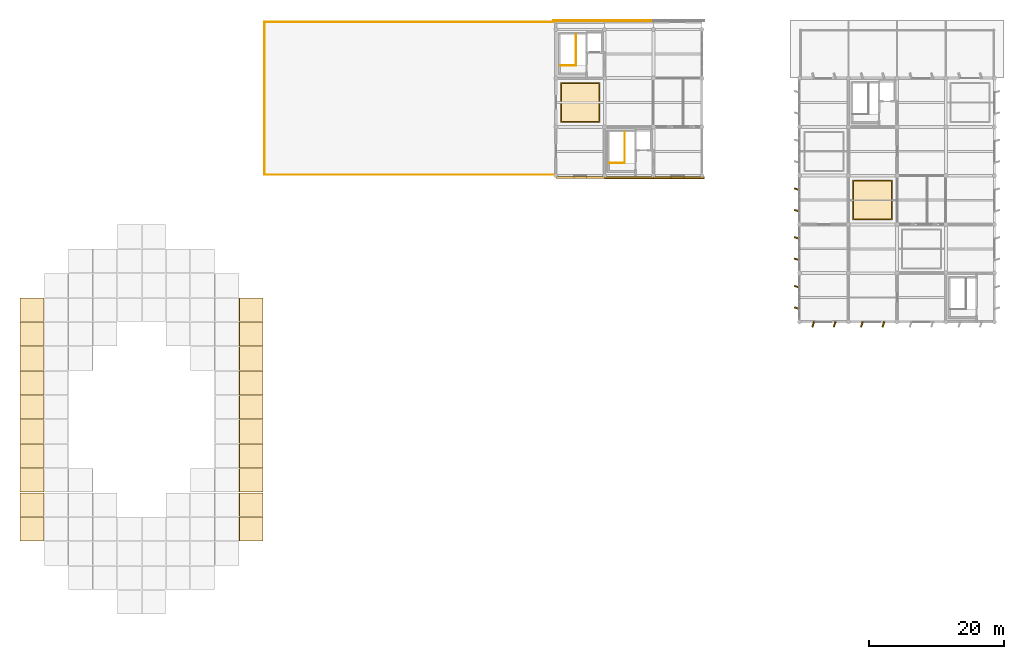
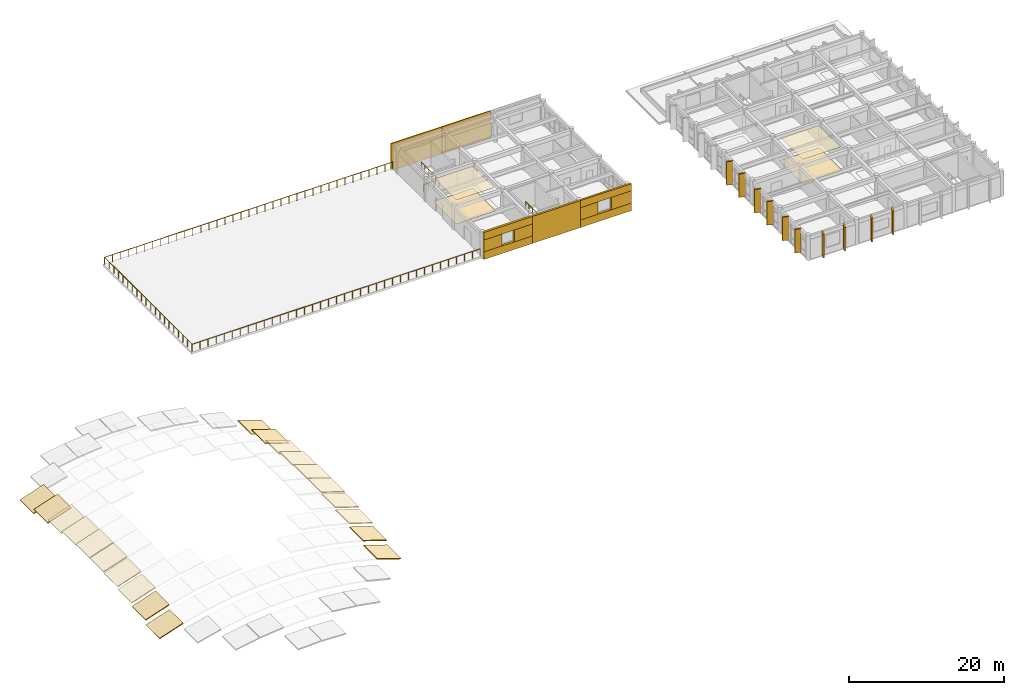
# One storey, part 15 of 16: 45 coverings, 3 railings.
"""IFC4 building model written with IfcOpenShell, lengths in metres."""

from ifc_helpers import new_model, si_unit, direction, frame, origin, origin_2d, place, context, subcontext, project, spatial, polyline, rectangle, circle, outline, extrude, material, layer, layer_set, type_object, element, save


model = new_model("IFC4")

# Units and contexts
model_context = context("Model", 3, precision=1e-05, world=origin(), true_north=direction((0.0, 1.0)))
body_context = subcontext(model_context, "Body", "Model", "MODEL_VIEW")
ifc_project = project(units=[si_unit("LENGTHUNIT", "METRE"), si_unit("AREAUNIT", "SQUARE_METRE"), si_unit("VOLUMEUNIT", "CUBIC_METRE"), si_unit("PLANEANGLEUNIT", "RADIAN"), si_unit("MASSUNIT", "GRAM", prefix="KILO")], contexts=[model_context])

# Site, building, storey
site_placement = place(None, origin())
site = spatial("IfcSite", under=ifc_project, at=site_placement, CompositionType="ELEMENT")
building_placement = place(site_placement, origin())
building = spatial("IfcBuilding", under=site, at=building_placement, Name="Kavelor Marine Aquarium", CompositionType="ELEMENT")
storey_placement = place(building_placement, frame((0.0, 0.0, 21.60009765625)))
storey = spatial("IfcBuildingStorey", under=building, at=storey_placement, Name="L05", CompositionType="ELEMENT", Elevation=21.60009765625)

# Coverings
ifc_material_1 = material(Name="Moisture-Resistant Acoustic Mineral-Fibre Ceiling")
ifc_layer_1 = layer(ifc_material_1, 0.0400390625)
ifc_layer_set_1 = layer_set([ifc_layer_1], Name="COV-CE1")
covering_type_1 = type_object("IfcCoveringType", Name="COV-CE1", PredefinedType="CEILING", material=ifc_layer_set_1)
covering_1_placement = place(storey_placement, frame((0.0, 0.0, 3.639892578125)))
element("IfcCovering", 1, at=covering_1_placement, inside=storey, type_object=covering_type_1, Name="ceil:L05:11_13", PredefinedType="CEILING", context=body_context, shape_type="SweptSolid", body=[
    extrude(outline(polyline([(83.199951171875, 97.199951171875), (88.800048828125, 97.199951171875), (88.800048828125, 102.800048828125), (83.199951171875, 102.800048828125), (83.199951171875, 97.199951171875)])), origin(), (0.0, 0.0, 1.0), 0.0400390625),
])
covering_2_placement = place(storey_placement, frame((0.0, 0.0, 3.639892578125)))
element("IfcCovering", 2, at=covering_2_placement, inside=storey, type_object=covering_type_1, Name="ceil:L05:17_11", PredefinedType="CEILING", context=body_context, shape_type="SweptSolid", body=[
    extrude(outline(polyline([(126.39990234375, 82.800048828125), (132.0, 82.800048828125), (132.0, 88.39990234375), (126.39990234375, 88.39990234375), (126.39990234375, 82.800048828125)])), origin(), (0.0, 0.0, 1.0), 0.0400390625),
])
ifc_material_2 = material(Name="Precast Concrete C45/55 Coastal Brise-Soleil Fin", Category="concrete")
ifc_layer_2 = layer(ifc_material_2, 0.219970703125)
ifc_layer_set_2 = layer_set([ifc_layer_2], Name="COV-CL1")
covering_type_2 = type_object("IfcCoveringType", Name="COV-CL1", PredefinedType="CLADDING", material=ifc_layer_set_2)
for number, where, z_axis, x_axis, name in (
    (3, (118.0400390625, 69.615966796875, 0.0), (0.0, 0.0, 1.0), (0.951056516295, -0.309016994375, 0.0), "fin:y:L05:16_09:0"),
    (4, (118.0400390625, 72.783935546875, 0.0), (0.0, 0.0, 1.0), (0.951056516295, -0.309016994375, 0.0), "fin:y:L05:16_09:1"),
    (5, (118.0400390625, 76.81591796875, 0.0), (0.0, 0.0, 1.0), (0.951056516295, -0.309016994375, 0.0), "fin:y:L05:16_10:0"),
    (6, (118.0400390625, 79.98388671875, 0.0), (0.0, 0.0, 1.0), (0.951056516295, -0.309016994375, 0.0), "fin:y:L05:16_10:1"),
    (7, (118.0400390625, 84.01611328125, 0.0), (0.0, 0.0, 1.0), (0.951056516295, -0.309016994375, 0.0), "fin:y:L05:16_11:0"),
    (8, (118.0400390625, 87.18408203125, 0.0), (0.0, 0.0, 1.0), (0.951056516295, -0.309016994375, 0.0), "fin:y:L05:16_11:1"),
):
    element("IfcCovering", number, at=place(storey_placement, frame(where, z_axis=z_axis, x_axis=x_axis)), inside=storey, type_object=covering_type_2, Name=name, PredefinedType="CLADDING", context=body_context, shape_type="SweptSolid", body=[
        extrude(rectangle(XDim=0.85009765625, YDim=0.219970703125, at=origin_2d()), origin(), (0.0, 0.0, 1.0), 3.699951171875),
    ])
for number, where, z_axis, x_axis, name in (
    (9, (120.416015625, 67.239990234375, 0.0), (0.0, 0.0, 1.0), (0.951056516295, -0.309016994375, 0.0), "fin:x:L05:16_09:0"),
    (10, (123.583984375, 67.239990234375, 0.0), (0.0, 0.0, 1.0), (0.951056516295, -0.309016994375, 0.0), "fin:x:L05:16_09:1"),
    (11, (127.615966796875, 67.239990234375, 0.0), (0.0, 0.0, 1.0), (0.951056516295, -0.309016994375, 0.0), "fin:x:L05:17_09:0"),
    (12, (130.783935546875, 67.239990234375, 0.0), (0.0, 0.0, 1.0), (0.951056516295, -0.309016994375, 0.0), "fin:x:L05:17_09:1"),
):
    element("IfcCovering", number, at=place(storey_placement, frame(where, z_axis=z_axis, x_axis=x_axis)), inside=storey, type_object=covering_type_2, Name=name, PredefinedType="CLADDING", context=body_context, shape_type="SweptSolid", body=[
        extrude(rectangle(XDim=0.219970703125, YDim=0.85009765625, at=origin_2d()), origin(), (0.0, 0.0, 1.0), 3.699951171875),
    ])
ifc_material_3 = material(Name="Polished Coastal Terrazzo Flooring")
ifc_layer_3 = layer(ifc_material_3, 0.030029296875)
ifc_layer_set_3 = layer_set([ifc_layer_3], Name="COV-FL1")
covering_type_3 = type_object("IfcCoveringType", Name="COV-FL1", PredefinedType="FLOORING", material=ifc_layer_set_3)
covering_3_placement = place(storey_placement, origin())
element("IfcCovering", 13, at=covering_3_placement, inside=storey, type_object=covering_type_3, Name="flr:L05:11_13", PredefinedType="FLOORING", context=body_context, shape_type="SweptSolid", body=[
    extrude(outline(polyline([(83.050048828125, 97.050048828125), (88.949951171875, 97.050048828125), (88.949951171875, 102.949951171875), (83.050048828125, 102.949951171875), (83.050048828125, 97.050048828125)])), origin(), (0.0, 0.0, 1.0), 0.02978515625),
])
covering_4_placement = place(storey_placement, origin())
element("IfcCovering", 14, at=covering_4_placement, inside=storey, type_object=covering_type_3, Name="flr:L05:17_11", PredefinedType="FLOORING", context=body_context, shape_type="SweptSolid", body=[
    extrude(outline(polyline([(126.25, 82.64990234375), (132.14990234375, 82.64990234375), (132.14990234375, 88.550048828125), (126.25, 88.550048828125), (126.25, 82.64990234375)])), origin(), (0.0, 0.0, 1.0), 0.02978515625),
])
ifc_material_4 = material(Name="Standing-Seam Marine Aluminium Acoustic Roof Deck", Category="aluminium")
ifc_layer_4 = layer(ifc_material_4, 0.080078125)
ifc_layer_set_4 = layer_set([ifc_layer_4], Name="COV-RF2")
covering_type_4 = type_object("IfcCoveringType", Name="COV-RF2", PredefinedType="ROOFING", material=ifc_layer_set_4)
for number, where, z_axis, x_axis, name in (
    (15, (3.239990234375, 35.239990234375, 0.31591796875), (-0.318120869141, 0.0, 0.948050163555), (0.948050163555, 0.0, 0.318120869141), "gs:haunch:cov:00_03"),
    (16, (3.239990234375, 38.840087890625, 1.04541015625), (-0.318120869141, 0.0, 0.948050163555), (0.948050163555, 0.0, 0.318120869141), "gs:haunch:cov:00_04"),
    (17, (3.239990234375, 42.43994140625, 1.552978515625), (-0.318120869141, 0.0, 0.948050163555), (0.948050163555, 0.0, 0.318120869141), "gs:haunch:cov:00_05"),
    (18, (3.239990234375, 46.0400390625, 1.922607421875), (-0.318120869141, 0.0, 0.948050163555), (0.948050163555, 0.0, 0.318120869141), "gs:haunch:cov:00_06"),
    (19, (3.239990234375, 49.639892578125, 2.07666015625), (-0.318120869141, 0.0, 0.948050163555), (0.948050163555, 0.0, 0.318120869141), "gs:haunch:cov:00_07"),
    (20, (3.239990234375, 53.239990234375, 2.0966796875), (-0.318120869141, 0.0, 0.948050163555), (0.948050163555, 0.0, 0.318120869141), "gs:haunch:cov:00_08"),
    (21, (3.239990234375, 56.840087890625, 1.902587890625), (-0.318120869141, 0.0, 0.948050163555), (0.948050163555, 0.0, 0.318120869141), "gs:haunch:cov:00_09"),
    (22, (3.239990234375, 60.43994140625, 1.572998046875), (-0.318120869141, 0.0, 0.948050163555), (0.948050163555, 0.0, 0.318120869141), "gs:haunch:cov:00_10"),
    (23, (3.239990234375, 64.0400390625, 1.025390625), (-0.318120869141, 0.0, 0.948050163555), (0.948050163555, 0.0, 0.318120869141), "gs:haunch:cov:00_11"),
    (24, (3.239990234375, 67.639892578125, 0.3359375), (-0.318120869141, 0.0, 0.948050163555), (0.948050163555, 0.0, 0.318120869141), "gs:haunch:cov:00_12"),
    (25, (35.639892578125, 35.239990234375, 1.51708984375), (0.318120869141, 0.0, 0.948050163555), (0.948050163555, 0.0, -0.318120869141), "gs:haunch:cov:09_03"),
    (26, (35.639892578125, 38.840087890625, 2.20654296875), (0.318120869141, 0.0, 0.948050163555), (0.948050163555, 0.0, -0.318120869141), "gs:haunch:cov:09_04"),
    (27, (35.639892578125, 42.43994140625, 2.754150390625), (0.318120869141, 0.0, 0.948050163555), (0.948050163555, 0.0, -0.318120869141), "gs:haunch:cov:09_05"),
    (28, (35.639892578125, 46.0400390625, 3.083740234375), (0.318120869141, 0.0, 0.948050163555), (0.948050163555, 0.0, -0.318120869141), "gs:haunch:cov:09_06"),
    (29, (35.639892578125, 49.639892578125, 3.27783203125), (0.318120869141, 0.0, 0.948050163555), (0.948050163555, 0.0, -0.318120869141), "gs:haunch:cov:09_07"),
    (30, (35.639892578125, 53.239990234375, 3.2578125), (0.318120869141, 0.0, 0.948050163555), (0.948050163555, 0.0, -0.318120869141), "gs:haunch:cov:09_08"),
    (31, (35.639892578125, 56.840087890625, 3.103759765625), (0.318120869141, 0.0, 0.948050163555), (0.948050163555, 0.0, -0.318120869141), "gs:haunch:cov:09_09"),
    (32, (35.639892578125, 60.43994140625, 2.734130859375), (0.318120869141, 0.0, 0.948050163555), (0.948050163555, 0.0, -0.318120869141), "gs:haunch:cov:09_10"),
    (33, (35.639892578125, 64.0400390625, 2.2265625), (0.318120869141, 0.0, 0.948050163555), (0.948050163555, 0.0, -0.318120869141), "gs:haunch:cov:09_11"),
    (34, (35.639892578125, 67.639892578125, 1.4970703125), (0.318120869141, 0.0, 0.948050163555), (0.948050163555, 0.0, -0.318120869141), "gs:haunch:cov:09_12"),
):
    element("IfcCovering", number, at=place(storey_placement, frame(where, z_axis=z_axis, x_axis=x_axis)), inside=storey, type_object=covering_type_4, Name=name, PredefinedType="ROOFING", context=body_context, shape_type="SweptSolid", body=[
        extrude(outline(polyline([(0.0, 0.0), (3.7129043025006165, 0.0), (3.7129043025006165, 3.520019531250001), (0.0, 3.520019531250001), (0.0, 0.0)])), origin(), (0.0, 0.0, -1.0), 0.139892578125),
    ])
ifc_material_5 = material(Name="Smooth White Marine Aluminium Composite Cladding", Category="aluminium")
ifc_layer_5 = layer(ifc_material_5, 0.10009765625)
ifc_layer_set_5 = layer_set([ifc_layer_5], Name="COV-WM1")
covering_type_5 = type_object("IfcCoveringType", Name="COV-WM1", PredefinedType="CLADDING", material=ifc_layer_set_5)
covering_5_placement = place(storey_placement, frame((0.0, 0.0, -0.280029296875)))
element("IfcCovering", 35, at=covering_5_placement, inside=storey, type_object=covering_type_5, Name="wmc:x:L05:11_12:sill", PredefinedType="CLADDING", context=body_context, shape_type="SweptSolid", body=[
    extrude(outline(polyline([(82.39990234375, 88.760009765625), (89.60009765625, 88.760009765625), (89.60009765625, 89.080078125), (82.39990234375, 89.080078125), (82.39990234375, 88.760009765625)])), origin(), (0.0, 0.0, 1.0), 1.18994140625),
])
covering_6_placement = place(storey_placement, frame((0.0, 0.0, 2.789794921875)))
element("IfcCovering", 36, at=covering_6_placement, inside=storey, type_object=covering_type_5, Name="wmc:x:L05:11_12:head", PredefinedType="CLADDING", context=body_context, shape_type="SweptSolid", body=[
    extrude(outline(polyline([(82.39990234375, 88.760009765625), (89.60009765625, 88.760009765625), (89.60009765625, 89.080078125), (82.39990234375, 89.080078125), (82.39990234375, 88.760009765625)])), origin(), (0.0, 0.0, 1.0), 1.170166015625),
])
covering_7_placement = place(storey_placement, frame((0.0, 0.0, 0.909912109375)))
element("IfcCovering", 37, at=covering_7_placement, inside=storey, type_object=covering_type_5, Name="wmc:x:L05:11_12:left", PredefinedType="CLADDING", context=body_context, shape_type="SweptSolid", body=[
    extrude(outline(polyline([(82.39990234375, 88.760009765625), (85.06005859375, 88.760009765625), (85.06005859375, 89.080078125), (82.39990234375, 89.080078125), (82.39990234375, 88.760009765625)])), origin(), (0.0, 0.0, 1.0), 1.8798828125),
])
covering_8_placement = place(storey_placement, frame((0.0, 0.0, 0.909912109375)))
element("IfcCovering", 38, at=covering_8_placement, inside=storey, type_object=covering_type_5, Name="wmc:x:L05:11_12:right", PredefinedType="CLADDING", context=body_context, shape_type="SweptSolid", body=[
    extrude(outline(polyline([(86.93994140625, 88.760009765625), (89.60009765625, 88.760009765625), (89.60009765625, 89.080078125), (86.93994140625, 89.080078125), (86.93994140625, 88.760009765625)])), origin(), (0.0, 0.0, 1.0), 1.8798828125),
])
covering_9_placement = place(storey_placement, frame((0.0, 0.0, -0.280029296875)))
element("IfcCovering", 39, at=covering_9_placement, inside=storey, type_object=covering_type_5, Name="wmc:x:L05:11_15:full", PredefinedType="CLADDING", context=body_context, shape_type="SweptSolid", body=[
    extrude(outline(polyline([(82.050048828125, 112.030029296875), (89.60009765625, 112.030029296875), (89.60009765625, 112.14990234375), (82.050048828125, 112.14990234375), (82.050048828125, 112.030029296875)])), origin(), (0.0, 0.0, 1.0), 4.239990234375),
])
covering_10_placement = place(storey_placement, frame((0.0, 0.0, -0.280029296875)))
element("IfcCovering", 40, at=covering_10_placement, inside=storey, type_object=covering_type_5, Name="wmc:x:L05:12_12:full", PredefinedType="CLADDING", context=body_context, shape_type="SweptSolid", body=[
    extrude(outline(polyline([(89.60009765625, 88.760009765625), (96.800048828125, 88.760009765625), (96.800048828125, 89.0400390625), (89.60009765625, 89.0400390625), (89.60009765625, 88.760009765625)])), origin(), (0.0, 0.0, 1.0), 4.239990234375),
])
covering_11_placement = place(storey_placement, frame((0.0, 0.0, -0.280029296875)))
element("IfcCovering", 41, at=covering_11_placement, inside=storey, type_object=covering_type_5, Name="wmc:x:L05:12_15:full", PredefinedType="CLADDING", context=body_context, shape_type="SweptSolid", body=[
    extrude(outline(polyline([(89.60009765625, 112.02001953125), (96.800048828125, 112.02001953125), (96.800048828125, 112.139892578125), (89.60009765625, 112.139892578125), (89.60009765625, 112.02001953125)])), origin(), (0.0, 0.0, 1.0), 4.239990234375),
])
covering_12_placement = place(storey_placement, frame((0.0, 0.0, -0.280029296875)))
element("IfcCovering", 42, at=covering_12_placement, inside=storey, type_object=covering_type_5, Name="wmc:x:L05:13_12:sill", PredefinedType="CLADDING", context=body_context, shape_type="SweptSolid", body=[
    extrude(outline(polyline([(96.800048828125, 88.760009765625), (104.35009765625, 88.760009765625), (104.35009765625, 89.030029296875), (96.800048828125, 89.030029296875), (96.800048828125, 88.760009765625)])), origin(), (0.0, 0.0, 1.0), 1.18994140625),
])
covering_13_placement = place(storey_placement, frame((0.0, 0.0, 2.83984375)))
element("IfcCovering", 43, at=covering_13_placement, inside=storey, type_object=covering_type_5, Name="wmc:x:L05:13_12:head", PredefinedType="CLADDING", context=body_context, shape_type="SweptSolid", body=[
    extrude(outline(polyline([(96.800048828125, 88.760009765625), (104.35009765625, 88.760009765625), (104.35009765625, 89.030029296875), (96.800048828125, 89.030029296875), (96.800048828125, 88.760009765625)])), origin(), (0.0, 0.0, 1.0), 1.1201171875),
])
covering_14_placement = place(storey_placement, frame((0.0, 0.0, 0.909912109375)))
element("IfcCovering", 44, at=covering_14_placement, inside=storey, type_object=covering_type_5, Name="wmc:x:L05:13_12:left", PredefinedType="CLADDING", context=body_context, shape_type="SweptSolid", body=[
    extrude(outline(polyline([(96.800048828125, 88.760009765625), (99.409912109375, 88.760009765625), (99.409912109375, 89.030029296875), (96.800048828125, 89.030029296875), (96.800048828125, 88.760009765625)])), origin(), (0.0, 0.0, 1.0), 1.929931640625),
])
covering_15_placement = place(storey_placement, frame((0.0, 0.0, 0.909912109375)))
element("IfcCovering", 45, at=covering_15_placement, inside=storey, type_object=covering_type_5, Name="wmc:x:L05:13_12:right", PredefinedType="CLADDING", context=body_context, shape_type="SweptSolid", body=[
    extrude(outline(polyline([(101.389892578125, 88.760009765625), (104.35009765625, 88.760009765625), (104.35009765625, 89.030029296875), (101.389892578125, 89.030029296875), (101.389892578125, 88.760009765625)])), origin(), (0.0, 0.0, 1.0), 1.929931640625),
])

# Railings
ifc_material_6 = material(Name="Marine Duplex Stainless Steel Terrace Guardrail", Category="steel")
railing_type_1 = type_object("IfcRailingType", Name="RL-GD2", PredefinedType="GUARDRAIL", material=ifc_material_6)
railing_1_placement = place(storey_placement, frame((82.25, 89.35009765625, 0.0)))
element("IfcRailing", 46, at=railing_1_placement, inside=storey, type_object=railing_type_1, Name="Rooftop Terrace Perimeter Guardrail GR2", PredefinedType="GUARDRAIL", context=body_context, shape_type="SweptSolid", body=[
    extrude(circle(Radius=0.02490234375, at=origin_2d()), frame((0.0, 0.0, 1.125), z_axis=(-1.0, 0.0, 0.0), x_axis=(0.0, -1.0, 0.0)), (0.0, 0.0, 1.0), 42.89990234375),
    extrude(circle(Radius=0.02490234375, at=origin_2d()), frame((-42.89990234375, 0.0, 1.125), z_axis=(0.0, 1.0, 0.0), x_axis=(-1.0, 0.0, 0.0)), (0.0, 0.0, 1.0), 22.539794921875),
    extrude(circle(Radius=0.02490234375, at=origin_2d()), frame((-42.89990234375, 22.539794921875, 1.125), z_axis=(1.0, 0.0, 0.0), x_axis=(0.0, 1.0, 0.0)), (0.0, 0.0, 1.0), 42.89990234375),
    extrude(circle(Radius=0.02490234375, at=origin_2d()), origin(), (0.0, 0.0, 1.0), 1.099853515625),
    extrude(circle(Radius=0.02490234375, at=origin_2d()), frame((-1.191650390625, 0.0, 0.0)), (0.0, 0.0, 1.0), 1.099853515625),
    extrude(circle(Radius=0.02490234375, at=origin_2d()), frame((-2.38330078125, 0.0, 0.0)), (0.0, 0.0, 1.0), 1.099853515625),
    extrude(circle(Radius=0.02490234375, at=origin_2d()), frame((-3.574951171875, 0.0, 0.0)), (0.0, 0.0, 1.0), 1.099853515625),
    extrude(circle(Radius=0.02490234375, at=origin_2d()), frame((-4.7666015625, 0.0, 0.0)), (0.0, 0.0, 1.0), 1.099853515625),
    extrude(circle(Radius=0.02490234375, at=origin_2d()), frame((-5.958251953125, 0.0, 0.0)), (0.0, 0.0, 1.0), 1.099853515625),
    extrude(circle(Radius=0.02490234375, at=origin_2d()), frame((-7.14990234375, 0.0, 0.0)), (0.0, 0.0, 1.0), 1.099853515625),
    extrude(circle(Radius=0.02490234375, at=origin_2d()), frame((-8.341552734375, 0.0, 0.0)), (0.0, 0.0, 1.0), 1.099853515625),
    extrude(circle(Radius=0.02490234375, at=origin_2d()), frame((-9.533203125, 0.0, 0.0)), (0.0, 0.0, 1.0), 1.099853515625),
    extrude(circle(Radius=0.02490234375, at=origin_2d()), frame((-10.72509765625, 0.0, 0.0)), (0.0, 0.0, 1.0), 1.099853515625),
    extrude(circle(Radius=0.02490234375, at=origin_2d()), frame((-11.916748046875, 0.0, 0.0)), (0.0, 0.0, 1.0), 1.099853515625),
    extrude(circle(Radius=0.02490234375, at=origin_2d()), frame((-13.1083984375, 0.0, 0.0)), (0.0, 0.0, 1.0), 1.099853515625),
    extrude(circle(Radius=0.02490234375, at=origin_2d()), frame((-14.300048828125, 0.0, 0.0)), (0.0, 0.0, 1.0), 1.099853515625),
    extrude(circle(Radius=0.02490234375, at=origin_2d()), frame((-15.49169921875, 0.0, 0.0)), (0.0, 0.0, 1.0), 1.099853515625),
    extrude(circle(Radius=0.02490234375, at=origin_2d()), frame((-16.683349609375, 0.0, 0.0)), (0.0, 0.0, 1.0), 1.099853515625),
    extrude(circle(Radius=0.02490234375, at=origin_2d()), frame((-17.875, 0.0, 0.0)), (0.0, 0.0, 1.0), 1.099853515625),
    extrude(circle(Radius=0.02490234375, at=origin_2d()), frame((-19.066650390625, 0.0, 0.0)), (0.0, 0.0, 1.0), 1.099853515625),
    extrude(circle(Radius=0.02490234375, at=origin_2d()), frame((-20.25830078125, 0.0, 0.0)), (0.0, 0.0, 1.0), 1.099853515625),
    extrude(circle(Radius=0.02490234375, at=origin_2d()), frame((-21.449951171875, 0.0, 0.0)), (0.0, 0.0, 1.0), 1.099853515625),
    extrude(circle(Radius=0.02490234375, at=origin_2d()), frame((-22.6416015625, 0.0, 0.0)), (0.0, 0.0, 1.0), 1.099853515625),
    extrude(circle(Radius=0.02490234375, at=origin_2d()), frame((-23.833251953125, 0.0, 0.0)), (0.0, 0.0, 1.0), 1.099853515625),
    extrude(circle(Radius=0.02490234375, at=origin_2d()), frame((-25.02490234375, 0.0, 0.0)), (0.0, 0.0, 1.0), 1.099853515625),
    extrude(circle(Radius=0.02490234375, at=origin_2d()), frame((-26.216552734375, 0.0, 0.0)), (0.0, 0.0, 1.0), 1.099853515625),
    extrude(circle(Radius=0.02490234375, at=origin_2d()), frame((-27.408203125, 0.0, 0.0)), (0.0, 0.0, 1.0), 1.099853515625),
    extrude(circle(Radius=0.02490234375, at=origin_2d()), frame((-28.599853515625, 0.0, 0.0)), (0.0, 0.0, 1.0), 1.099853515625),
    extrude(circle(Radius=0.02490234375, at=origin_2d()), frame((-29.79150390625, 0.0, 0.0)), (0.0, 0.0, 1.0), 1.099853515625),
    extrude(circle(Radius=0.02490234375, at=origin_2d()), frame((-30.983154296875, 0.0, 0.0)), (0.0, 0.0, 1.0), 1.099853515625),
    extrude(circle(Radius=0.02490234375, at=origin_2d()), frame((-32.1748046875, 0.0, 0.0)), (0.0, 0.0, 1.0), 1.099853515625),
    extrude(circle(Radius=0.02490234375, at=origin_2d()), frame((-33.36669921875, 0.0, 0.0)), (0.0, 0.0, 1.0), 1.099853515625),
    extrude(circle(Radius=0.02490234375, at=origin_2d()), frame((-34.558349609375, 0.0, 0.0)), (0.0, 0.0, 1.0), 1.099853515625),
    extrude(circle(Radius=0.02490234375, at=origin_2d()), frame((-35.75, 0.0, 0.0)), (0.0, 0.0, 1.0), 1.099853515625),
    extrude(circle(Radius=0.02490234375, at=origin_2d()), frame((-36.941650390625, 0.0, 0.0)), (0.0, 0.0, 1.0), 1.099853515625),
    extrude(circle(Radius=0.02490234375, at=origin_2d()), frame((-38.13330078125, 0.0, 0.0)), (0.0, 0.0, 1.0), 1.099853515625),
    extrude(circle(Radius=0.02490234375, at=origin_2d()), frame((-39.324951171875, 0.0, 0.0)), (0.0, 0.0, 1.0), 1.099853515625),
    extrude(circle(Radius=0.02490234375, at=origin_2d()), frame((-40.5166015625, 0.0, 0.0)), (0.0, 0.0, 1.0), 1.099853515625),
    extrude(circle(Radius=0.02490234375, at=origin_2d()), frame((-41.708251953125, 0.0, 0.0)), (0.0, 0.0, 1.0), 1.099853515625),
    extrude(circle(Radius=0.02490234375, at=origin_2d()), frame((-42.89990234375, 0.0, 0.0)), (0.0, 0.0, 1.0), 1.099853515625),
    extrude(circle(Radius=0.02490234375, at=origin_2d()), frame((-42.89990234375, 1.186279296875, 0.0)), (0.0, 0.0, 1.0), 1.099853515625),
    extrude(circle(Radius=0.02490234375, at=origin_2d()), frame((-42.89990234375, 2.37255859375, 0.0)), (0.0, 0.0, 1.0), 1.099853515625),
    extrude(circle(Radius=0.02490234375, at=origin_2d()), frame((-42.89990234375, 3.558837890625, 0.0)), (0.0, 0.0, 1.0), 1.099853515625),
    extrude(circle(Radius=0.02490234375, at=origin_2d()), frame((-42.89990234375, 4.7451171875, 0.0)), (0.0, 0.0, 1.0), 1.099853515625),
    extrude(circle(Radius=0.02490234375, at=origin_2d()), frame((-42.89990234375, 5.931640625, 0.0)), (0.0, 0.0, 1.0), 1.099853515625),
    extrude(circle(Radius=0.02490234375, at=origin_2d()), frame((-42.89990234375, 7.117919921875, 0.0)), (0.0, 0.0, 1.0), 1.099853515625),
    extrude(circle(Radius=0.02490234375, at=origin_2d()), frame((-42.89990234375, 8.30419921875, 0.0)), (0.0, 0.0, 1.0), 1.099853515625),
    extrude(circle(Radius=0.02490234375, at=origin_2d()), frame((-42.89990234375, 9.490478515625, 0.0)), (0.0, 0.0, 1.0), 1.099853515625),
    extrude(circle(Radius=0.02490234375, at=origin_2d()), frame((-42.89990234375, 10.6767578125, 0.0)), (0.0, 0.0, 1.0), 1.099853515625),
    extrude(circle(Radius=0.02490234375, at=origin_2d()), frame((-42.89990234375, 11.863037109375, 0.0)), (0.0, 0.0, 1.0), 1.099853515625),
    extrude(circle(Radius=0.02490234375, at=origin_2d()), frame((-42.89990234375, 13.04931640625, 0.0)), (0.0, 0.0, 1.0), 1.099853515625),
    extrude(circle(Radius=0.02490234375, at=origin_2d()), frame((-42.89990234375, 14.235595703125, 0.0)), (0.0, 0.0, 1.0), 1.099853515625),
    extrude(circle(Radius=0.02490234375, at=origin_2d()), frame((-42.89990234375, 15.421875, 0.0)), (0.0, 0.0, 1.0), 1.099853515625),
    extrude(circle(Radius=0.02490234375, at=origin_2d()), frame((-42.89990234375, 16.608154296875, 0.0)), (0.0, 0.0, 1.0), 1.099853515625),
    extrude(circle(Radius=0.02490234375, at=origin_2d()), frame((-42.89990234375, 17.794677734375, 0.0)), (0.0, 0.0, 1.0), 1.099853515625),
    extrude(circle(Radius=0.02490234375, at=origin_2d()), frame((-42.89990234375, 18.98095703125, 0.0)), (0.0, 0.0, 1.0), 1.099853515625),
    extrude(circle(Radius=0.02490234375, at=origin_2d()), frame((-42.89990234375, 20.167236328125, 0.0)), (0.0, 0.0, 1.0), 1.099853515625),
    extrude(circle(Radius=0.02490234375, at=origin_2d()), frame((-42.89990234375, 21.353515625, 0.0)), (0.0, 0.0, 1.0), 1.099853515625),
    extrude(circle(Radius=0.02490234375, at=origin_2d()), frame((-42.89990234375, 22.539794921875, 0.0)), (0.0, 0.0, 1.0), 1.099853515625),
    extrude(circle(Radius=0.02490234375, at=origin_2d()), frame((-41.708251953125, 22.539794921875, 0.0)), (0.0, 0.0, 1.0), 1.099853515625),
    extrude(circle(Radius=0.02490234375, at=origin_2d()), frame((-40.5166015625, 22.539794921875, 0.0)), (0.0, 0.0, 1.0), 1.099853515625),
    extrude(circle(Radius=0.02490234375, at=origin_2d()), frame((-39.324951171875, 22.539794921875, 0.0)), (0.0, 0.0, 1.0), 1.099853515625),
    extrude(circle(Radius=0.02490234375, at=origin_2d()), frame((-38.13330078125, 22.539794921875, 0.0)), (0.0, 0.0, 1.0), 1.099853515625),
    extrude(circle(Radius=0.02490234375, at=origin_2d()), frame((-36.941650390625, 22.539794921875, 0.0)), (0.0, 0.0, 1.0), 1.099853515625),
    extrude(circle(Radius=0.02490234375, at=origin_2d()), frame((-35.75, 22.539794921875, 0.0)), (0.0, 0.0, 1.0), 1.099853515625),
    extrude(circle(Radius=0.02490234375, at=origin_2d()), frame((-34.558349609375, 22.539794921875, 0.0)), (0.0, 0.0, 1.0), 1.099853515625),
    extrude(circle(Radius=0.02490234375, at=origin_2d()), frame((-33.36669921875, 22.539794921875, 0.0)), (0.0, 0.0, 1.0), 1.099853515625),
    extrude(circle(Radius=0.02490234375, at=origin_2d()), frame((-32.1748046875, 22.539794921875, 0.0)), (0.0, 0.0, 1.0), 1.099853515625),
    extrude(circle(Radius=0.02490234375, at=origin_2d()), frame((-30.983154296875, 22.539794921875, 0.0)), (0.0, 0.0, 1.0), 1.099853515625),
    extrude(circle(Radius=0.02490234375, at=origin_2d()), frame((-29.79150390625, 22.539794921875, 0.0)), (0.0, 0.0, 1.0), 1.099853515625),
    extrude(circle(Radius=0.02490234375, at=origin_2d()), frame((-28.599853515625, 22.539794921875, 0.0)), (0.0, 0.0, 1.0), 1.099853515625),
    extrude(circle(Radius=0.02490234375, at=origin_2d()), frame((-27.408203125, 22.539794921875, 0.0)), (0.0, 0.0, 1.0), 1.099853515625),
    extrude(circle(Radius=0.02490234375, at=origin_2d()), frame((-26.216552734375, 22.539794921875, 0.0)), (0.0, 0.0, 1.0), 1.099853515625),
    extrude(circle(Radius=0.02490234375, at=origin_2d()), frame((-25.02490234375, 22.539794921875, 0.0)), (0.0, 0.0, 1.0), 1.099853515625),
    extrude(circle(Radius=0.02490234375, at=origin_2d()), frame((-23.833251953125, 22.539794921875, 0.0)), (0.0, 0.0, 1.0), 1.099853515625),
    extrude(circle(Radius=0.02490234375, at=origin_2d()), frame((-22.6416015625, 22.539794921875, 0.0)), (0.0, 0.0, 1.0), 1.099853515625),
    extrude(circle(Radius=0.02490234375, at=origin_2d()), frame((-21.449951171875, 22.539794921875, 0.0)), (0.0, 0.0, 1.0), 1.099853515625),
    extrude(circle(Radius=0.02490234375, at=origin_2d()), frame((-20.25830078125, 22.539794921875, 0.0)), (0.0, 0.0, 1.0), 1.099853515625),
    extrude(circle(Radius=0.02490234375, at=origin_2d()), frame((-19.066650390625, 22.539794921875, 0.0)), (0.0, 0.0, 1.0), 1.099853515625),
    extrude(circle(Radius=0.02490234375, at=origin_2d()), frame((-17.875, 22.539794921875, 0.0)), (0.0, 0.0, 1.0), 1.099853515625),
    extrude(circle(Radius=0.02490234375, at=origin_2d()), frame((-16.683349609375, 22.539794921875, 0.0)), (0.0, 0.0, 1.0), 1.099853515625),
    extrude(circle(Radius=0.02490234375, at=origin_2d()), frame((-15.49169921875, 22.539794921875, 0.0)), (0.0, 0.0, 1.0), 1.099853515625),
    extrude(circle(Radius=0.02490234375, at=origin_2d()), frame((-14.300048828125, 22.539794921875, 0.0)), (0.0, 0.0, 1.0), 1.099853515625),
    extrude(circle(Radius=0.02490234375, at=origin_2d()), frame((-13.1083984375, 22.539794921875, 0.0)), (0.0, 0.0, 1.0), 1.099853515625),
    extrude(circle(Radius=0.02490234375, at=origin_2d()), frame((-11.916748046875, 22.539794921875, 0.0)), (0.0, 0.0, 1.0), 1.099853515625),
    extrude(circle(Radius=0.02490234375, at=origin_2d()), frame((-10.72509765625, 22.539794921875, 0.0)), (0.0, 0.0, 1.0), 1.099853515625),
    extrude(circle(Radius=0.02490234375, at=origin_2d()), frame((-9.533203125, 22.539794921875, 0.0)), (0.0, 0.0, 1.0), 1.099853515625),
    extrude(circle(Radius=0.02490234375, at=origin_2d()), frame((-8.341552734375, 22.539794921875, 0.0)), (0.0, 0.0, 1.0), 1.099853515625),
    extrude(circle(Radius=0.02490234375, at=origin_2d()), frame((-7.14990234375, 22.539794921875, 0.0)), (0.0, 0.0, 1.0), 1.099853515625),
    extrude(circle(Radius=0.02490234375, at=origin_2d()), frame((-5.958251953125, 22.539794921875, 0.0)), (0.0, 0.0, 1.0), 1.099853515625),
    extrude(circle(Radius=0.02490234375, at=origin_2d()), frame((-4.7666015625, 22.539794921875, 0.0)), (0.0, 0.0, 1.0), 1.099853515625),
    extrude(circle(Radius=0.02490234375, at=origin_2d()), frame((-3.574951171875, 22.539794921875, 0.0)), (0.0, 0.0, 1.0), 1.099853515625),
    extrude(circle(Radius=0.02490234375, at=origin_2d()), frame((-2.38330078125, 22.539794921875, 0.0)), (0.0, 0.0, 1.0), 1.099853515625),
    extrude(circle(Radius=0.02490234375, at=origin_2d()), frame((-1.191650390625, 22.539794921875, 0.0)), (0.0, 0.0, 1.0), 1.099853515625),
    extrude(circle(Radius=0.02490234375, at=origin_2d()), frame((0.0, 22.539794921875, 0.0)), (0.0, 0.0, 1.0), 1.099853515625),
])
ifc_material_7 = material(Name="Brushed Stainless Steel Stair Guardrail", Category="steel")
railing_type_2 = type_object("IfcRailingType", Name="RL-SG1", PredefinedType="GUARDRAIL", material=ifc_material_7)
railing_2_placement = place(storey_placement, frame((83.080078125, 105.47998046875, 0.0)))
element("IfcRailing", 47, at=railing_2_placement, inside=storey, type_object=railing_type_2, Name="Stairwell Guardrail ST06-W", PredefinedType="GUARDRAIL", context=body_context, shape_type="SweptSolid", body=[
    extrude(circle(Radius=0.0224609375, at=origin_2d()), frame((0.0, 0.0, 1.09765625), z_axis=(1.0, 0.0, 0.0), x_axis=(0.0, 1.0, 0.0)), (0.0, 0.0, 1.0), 2.2998046875),
    extrude(circle(Radius=0.0224609375, at=origin_2d()), frame((2.2998046875, 0.0, 1.09765625), z_axis=(0.0, 1.0, 0.0), x_axis=(-1.0, 0.0, 0.0)), (0.0, 0.0, 1.0), 4.590087890625),
    extrude(circle(Radius=0.02099609375, at=origin_2d()), origin(), (0.0, 0.0, 1.0), 1.0751953125),
    extrude(circle(Radius=0.02099609375, at=origin_2d()), frame((0.7666015625, 0.0, 0.0)), (0.0, 0.0, 1.0), 1.0751953125),
    extrude(circle(Radius=0.02099609375, at=origin_2d()), frame((1.533203125, 0.0, 0.0)), (0.0, 0.0, 1.0), 1.0751953125),
    extrude(circle(Radius=0.02099609375, at=origin_2d()), frame((2.2998046875, 0.0, 0.0)), (0.0, 0.0, 1.0), 1.0751953125),
    extrude(circle(Radius=0.02099609375, at=origin_2d()), frame((2.2998046875, 0.91796875, 0.0)), (0.0, 0.0, 1.0), 1.0751953125),
    extrude(circle(Radius=0.02099609375, at=origin_2d()), frame((2.2998046875, 1.8359375, 0.0)), (0.0, 0.0, 1.0), 1.0751953125),
    extrude(circle(Radius=0.02099609375, at=origin_2d()), frame((2.2998046875, 2.754150390625, 0.0)), (0.0, 0.0, 1.0), 1.0751953125),
    extrude(circle(Radius=0.02099609375, at=origin_2d()), frame((2.2998046875, 3.672119140625, 0.0)), (0.0, 0.0, 1.0), 1.0751953125),
    extrude(circle(Radius=0.02099609375, at=origin_2d()), frame((2.2998046875, 4.590087890625, 0.0)), (0.0, 0.0, 1.0), 1.0751953125),
])
railing_3_placement = place(storey_placement, frame((90.280029296875, 91.080078125, 0.0)))
element("IfcRailing", 48, at=railing_3_placement, inside=storey, type_object=railing_type_2, Name="Stairwell Guardrail ST07-W", PredefinedType="GUARDRAIL", context=body_context, shape_type="SweptSolid", body=[
    extrude(circle(Radius=0.0224609375, at=origin_2d()), frame((0.0, 0.0, 1.09765625), z_axis=(1.0, 0.0, 0.0), x_axis=(0.0, 1.0, 0.0)), (0.0, 0.0, 1.0), 2.300048828125),
    extrude(circle(Radius=0.0224609375, at=origin_2d()), frame((2.300048828125, 0.0, 1.09765625), z_axis=(0.0, 1.0, 0.0), x_axis=(-1.0, 0.0, 0.0)), (0.0, 0.0, 1.0), 4.58984375),
    extrude(circle(Radius=0.02099609375, at=origin_2d()), origin(), (0.0, 0.0, 1.0), 1.0751953125),
    extrude(circle(Radius=0.02099609375, at=origin_2d()), frame((0.7666015625, 0.0, 0.0)), (0.0, 0.0, 1.0), 1.0751953125),
    extrude(circle(Radius=0.02099609375, at=origin_2d()), frame((1.533447265625, 0.0, 0.0)), (0.0, 0.0, 1.0), 1.0751953125),
    extrude(circle(Radius=0.02099609375, at=origin_2d()), frame((2.300048828125, 0.0, 0.0)), (0.0, 0.0, 1.0), 1.0751953125),
    extrude(circle(Radius=0.02099609375, at=origin_2d()), frame((2.300048828125, 0.91796875, 0.0)), (0.0, 0.0, 1.0), 1.0751953125),
    extrude(circle(Radius=0.02099609375, at=origin_2d()), frame((2.300048828125, 1.8359375, 0.0)), (0.0, 0.0, 1.0), 1.0751953125),
    extrude(circle(Radius=0.02099609375, at=origin_2d()), frame((2.300048828125, 2.75390625, 0.0)), (0.0, 0.0, 1.0), 1.0751953125),
    extrude(circle(Radius=0.02099609375, at=origin_2d()), frame((2.300048828125, 3.671875, 0.0)), (0.0, 0.0, 1.0), 1.0751953125),
    extrude(circle(Radius=0.02099609375, at=origin_2d()), frame((2.300048828125, 4.58984375, 0.0)), (0.0, 0.0, 1.0), 1.0751953125),
])

save(model, "model.ifc")
